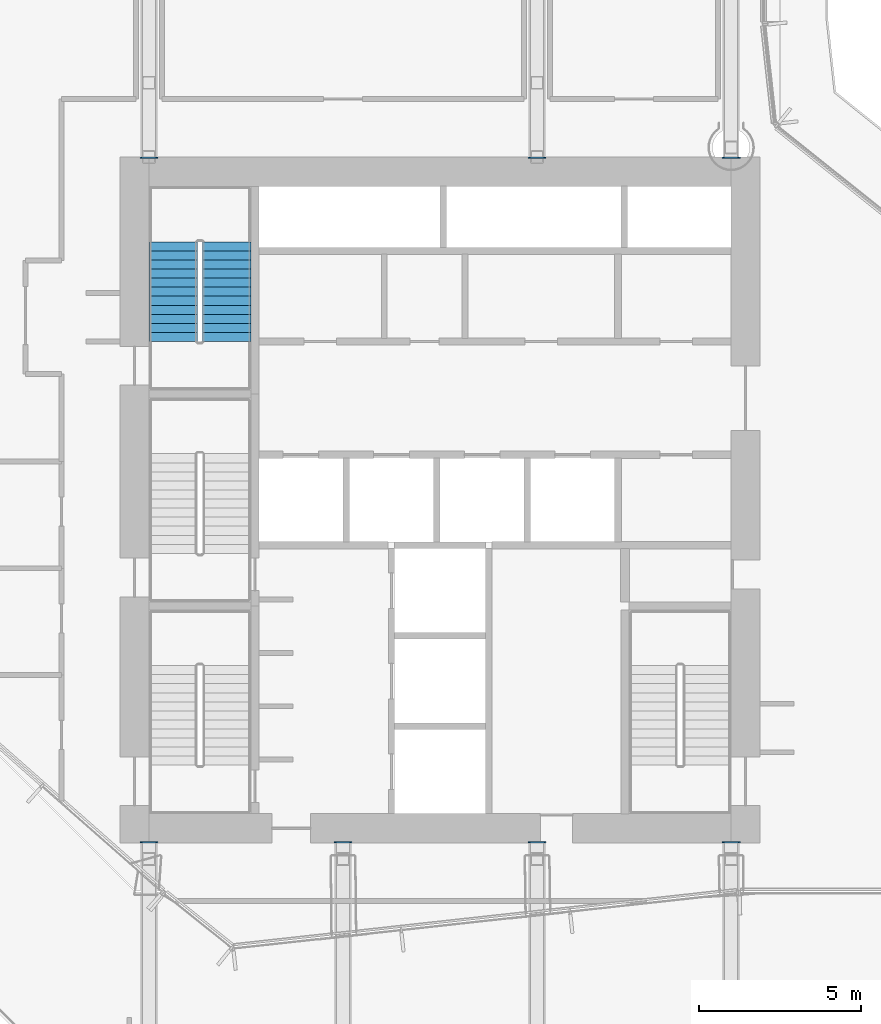
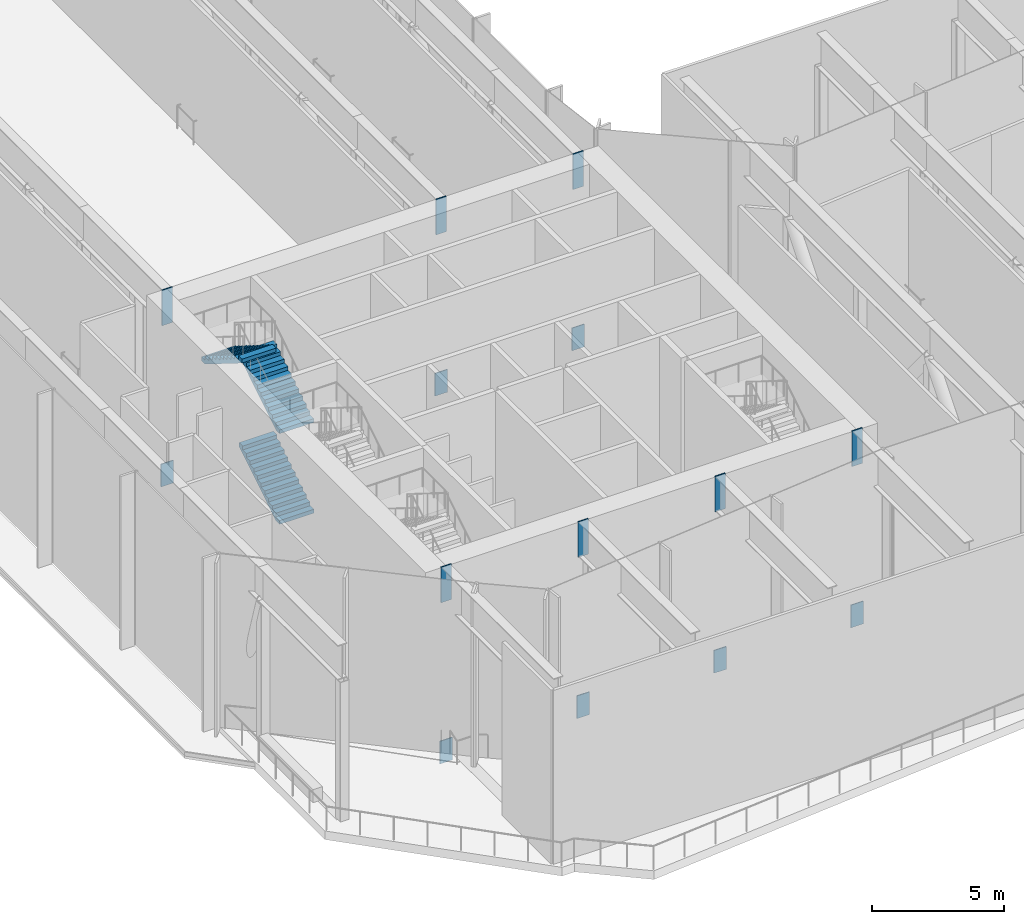
# One storey, part 17 of 25: 14 discrete accessories, 3 stair flights, 1 element without a shape of its own.
"""IFC4 building model written with IfcOpenShell, lengths in metres."""

from ifc_helpers import new_model, si_unit, direction, frame, origin, origin_2d, place, context, subcontext, project, spatial, polyline, rectangle, outline, extrude, material, type_object, element, aggregate, save


model = new_model("IFC4")

# Units and contexts
model_context = context("Model", 3, precision=1e-05, world=origin(), true_north=direction((0.0, 1.0)))
body_context = subcontext(model_context, "Body", "Model", "MODEL_VIEW")
ifc_project = project(units=[si_unit("LENGTHUNIT", "METRE"), si_unit("AREAUNIT", "SQUARE_METRE"), si_unit("VOLUMEUNIT", "CUBIC_METRE"), si_unit("PLANEANGLEUNIT", "RADIAN"), si_unit("MASSUNIT", "GRAM", prefix="KILO")], contexts=[model_context])

# Site, building, storey
site_placement = place(None, origin())
site = spatial("IfcSite", under=ifc_project, at=site_placement, CompositionType="ELEMENT")
building_placement = place(site_placement, origin())
building = spatial("IfcBuilding", under=site, at=building_placement, Name="Welwitschia Terrace Campus", CompositionType="ELEMENT")
storey_placement = place(building_placement, frame((0.0, 0.0, 79.39990234375)))
storey = spatial("IfcBuildingStorey", under=building, at=storey_placement, Name="L18", CompositionType="ELEMENT", Elevation=79.39990234375)

# Stair, stair flights
ifc_material_1 = material(Name="Concrete C40/50", Category="concrete")
stair_type = type_object("IfcStairType", Name="Stair 48R 175 W1500", PredefinedType="HALF_TURN_STAIR", material=ifc_material_1)
stair_placement = place(storey_placement, origin())
stair = element("IfcStair", 1, at=stair_placement, inside=storey, type_object=stair_type, Name="L18 Exit stair S4", PredefinedType="HALF_TURN_STAIR")
ifc_material_2 = material(Name="Concrete C40/50", Category="concrete")
stair_flight_type = type_object("IfcStairFlightType", Name="Stair flight 48R 175 W1500", PredefinedType="STRAIGHT", material=ifc_material_2)
stair_flight_1_placement = place(storey_placement, frame((8.39990234375, 20.0, 0.0), z_axis=(0.0, 0.0, 1.0), x_axis=(0.0, 1.0, 0.0)))
stair_flight_1 = element("IfcStairFlight", 2, at=stair_flight_1_placement, type_object=stair_flight_type, Name="S4 flight 1", NumberOfRisers=12, NumberOfTreads=11, PredefinedType="STRAIGHT", RiserHeight=0.175, TreadLength=0.28, context=body_context, shape_type="SweptSolid", body=[
    extrude(outline(polyline([(0.0, 0.0), (0.0, 0.175048828125), (0.280029296875, 0.175048828125), (0.280029296875, 0.35009765625), (0.56005859375, 0.35009765625), (0.56005859375, 0.52490234375), (0.840087890625, 0.52490234375), (0.840087890625, 0.699951171875), (1.1201171875, 0.699951171875), (1.1201171875, 0.875), (1.39990234375, 0.875), (1.39990234375, 1.050048828125), (1.679931640625, 1.050048828125), (1.679931640625, 1.22509765625), (1.9599609375, 1.22509765625), (1.9599609375, 1.39990234375), (2.239990234375, 1.39990234375), (2.239990234375, 1.574951171875), (2.52001953125, 1.574951171875), (2.52001953125, 1.75), (2.800048828125, 1.75), (2.800048828125, 1.925048828125), (3.080078125, 1.925048828125), (3.080078125, 2.10009765625), (3.080078125, 1.748291015625), (0.28271484375, 0.0), (0.0, 0.0)])), frame((0.0, 0.75, 0.0), z_axis=(0.0, -1.0, 0.0), x_axis=(1.0, 0.0, 0.0)), (0.0, 0.0, 1.0), 1.5),
])
stair_flight_2_placement = place(storey_placement, frame((8.39990234375, 20.0, 4.2001953125), z_axis=(0.0, 0.0, 1.0), x_axis=(0.0, 1.0, 0.0)))
stair_flight_2 = element("IfcStairFlight", 3, at=stair_flight_2_placement, type_object=stair_flight_type, Name="S4 flight 3", NumberOfRisers=12, NumberOfTreads=11, PredefinedType="STRAIGHT", RiserHeight=0.175, TreadLength=0.28, context=body_context, shape_type="SweptSolid", body=[
    extrude(outline(polyline([(0.0, 0.0), (0.0, 0.175048828125), (0.280029296875, 0.175048828125), (0.280029296875, 0.35009765625), (0.56005859375, 0.35009765625), (0.56005859375, 0.52490234375), (0.840087890625, 0.52490234375), (0.840087890625, 0.699951171875), (1.1201171875, 0.699951171875), (1.1201171875, 0.875), (1.39990234375, 0.875), (1.39990234375, 1.050048828125), (1.679931640625, 1.050048828125), (1.679931640625, 1.22509765625), (1.9599609375, 1.22509765625), (1.9599609375, 1.39990234375), (2.239990234375, 1.39990234375), (2.239990234375, 1.574951171875), (2.52001953125, 1.574951171875), (2.52001953125, 1.75), (2.800048828125, 1.75), (2.800048828125, 1.925048828125), (3.080078125, 1.925048828125), (3.080078125, 2.10009765625), (3.080078125, 1.748291015625), (0.28271484375, 0.0), (0.0, 0.0)])), frame((0.0, 0.75, 0.0), z_axis=(0.0, -1.0, 0.0), x_axis=(1.0, 0.0, 0.0)), (0.0, 0.0, 1.0), 1.5),
])
stair_flight_3_placement = place(storey_placement, frame((6.75, 23.080078125, 6.300048828125), z_axis=(0.0, 0.0, 1.0), x_axis=(0.0, -1.0, 0.0)))
stair_flight_3 = element("IfcStairFlight", 4, at=stair_flight_3_placement, type_object=stair_flight_type, Name="S4 flight 4", NumberOfRisers=12, NumberOfTreads=11, PredefinedType="STRAIGHT", RiserHeight=0.175, TreadLength=0.28, context=body_context, shape_type="SweptSolid", body=[
    extrude(outline(polyline([(0.0, 0.0), (0.0, 0.175048828125), (0.280029296875, 0.175048828125), (0.280029296875, 0.35009765625), (0.56005859375, 0.35009765625), (0.56005859375, 0.52490234375), (0.840087890625, 0.52490234375), (0.840087890625, 0.699951171875), (1.1201171875, 0.699951171875), (1.1201171875, 0.875), (1.39990234375, 0.875), (1.39990234375, 1.050048828125), (1.679931640625, 1.050048828125), (1.679931640625, 1.22509765625), (1.9599609375, 1.22509765625), (1.9599609375, 1.39990234375), (2.239990234375, 1.39990234375), (2.239990234375, 1.574951171875), (2.52001953125, 1.574951171875), (2.52001953125, 1.75), (2.800048828125, 1.75), (2.800048828125, 1.925048828125), (3.080078125, 1.925048828125), (3.080078125, 2.10009765625), (3.080078125, 1.748291015625), (0.28271484375, 0.0), (0.0, 0.0)])), frame((0.0, 0.75, 0.0), z_axis=(0.0, -1.0, 0.0), x_axis=(1.0, 0.0, 0.0)), (0.0, 0.0, 1.0), 1.5),
])
aggregate(stair, [stair_flight_1, stair_flight_2, stair_flight_3])

# Discrete accessories
discrete_accessory_1_placement = place(storey_placement, frame((6.0, 4.5, -0.5), z_axis=(0.0, 1.0, 0.0), x_axis=(-1.0, 0.0, 0.0)))
element("IfcDiscreteAccessory", 5, at=discrete_accessory_1_placement, inside=storey, Name="Cast-in embed plate", PredefinedType="BRACKET", context=body_context, shape_type="SweptSolid", body=[
    extrude(rectangle(XDim=0.550048828125, YDim=1.050048828125, at=origin_2d()), origin(), (0.0, 0.0, 1.0), 0.0400390625),
])
discrete_accessory_2_placement = place(storey_placement, frame((6.0, 4.5, 7.25), z_axis=(0.0, 1.0, 0.0), x_axis=(-1.0, 0.0, 0.0)))
element("IfcDiscreteAccessory", 6, at=discrete_accessory_2_placement, inside=storey, Name="Cast-in embed plate", PredefinedType="BRACKET", context=body_context, shape_type="SweptSolid", body=[
    extrude(rectangle(XDim=0.449951171875, YDim=1.64990234375, at=origin_2d()), origin(), (0.0, 0.0, 1.0), 0.0400390625),
])
discrete_accessory_3_placement = place(storey_placement, frame((6.0, 25.699951171875, -0.5), z_axis=(0.0, -1.0, 0.0), x_axis=(1.0, 0.0, 0.0)))
element("IfcDiscreteAccessory", 7, at=discrete_accessory_3_placement, inside=storey, Name="Cast-in embed plate", PredefinedType="BRACKET", context=body_context, shape_type="SweptSolid", body=[
    extrude(rectangle(XDim=0.550048828125, YDim=1.050048828125, at=origin_2d()), origin(), (0.0, 0.0, 1.0), 0.0400390625),
])
discrete_accessory_4_placement = place(storey_placement, frame((6.0, 25.699951171875, 7.25), z_axis=(0.0, -1.0, 0.0), x_axis=(1.0, 0.0, 0.0)))
element("IfcDiscreteAccessory", 8, at=discrete_accessory_4_placement, inside=storey, Name="Cast-in embed plate", PredefinedType="BRACKET", context=body_context, shape_type="SweptSolid", body=[
    extrude(rectangle(XDim=0.449951171875, YDim=1.64990234375, at=origin_2d()), origin(), (0.0, 0.0, 1.0), 0.0400390625),
])
discrete_accessory_5_placement = place(storey_placement, frame((12.0, 4.5, -0.5), z_axis=(0.0, 1.0, 0.0), x_axis=(-1.0, 0.0, 0.0)))
element("IfcDiscreteAccessory", 9, at=discrete_accessory_5_placement, inside=storey, Name="Cast-in embed plate", PredefinedType="BRACKET", context=body_context, shape_type="SweptSolid", body=[
    extrude(rectangle(XDim=0.550048828125, YDim=1.050048828125, at=origin_2d()), origin(), (0.0, 0.0, 1.0), 0.0400390625),
])
discrete_accessory_6_placement = place(storey_placement, frame((12.0, 4.5, 7.25), z_axis=(0.0, 1.0, 0.0), x_axis=(-1.0, 0.0, 0.0)))
element("IfcDiscreteAccessory", 10, at=discrete_accessory_6_placement, inside=storey, Name="Cast-in embed plate", PredefinedType="BRACKET", context=body_context, shape_type="SweptSolid", body=[
    extrude(rectangle(XDim=0.449951171875, YDim=1.64990234375, at=origin_2d()), origin(), (0.0, 0.0, 1.0), 0.0400390625),
])
discrete_accessory_7_placement = place(storey_placement, frame((18.0, 4.5, -0.5), z_axis=(0.0, 1.0, 0.0), x_axis=(-1.0, 0.0, 0.0)))
element("IfcDiscreteAccessory", 11, at=discrete_accessory_7_placement, inside=storey, Name="Cast-in embed plate", PredefinedType="BRACKET", context=body_context, shape_type="SweptSolid", body=[
    extrude(rectangle(XDim=0.550048828125, YDim=1.050048828125, at=origin_2d()), origin(), (0.0, 0.0, 1.0), 0.0400390625),
])
discrete_accessory_8_placement = place(storey_placement, frame((18.0, 4.5, 7.25), z_axis=(0.0, 1.0, 0.0), x_axis=(-1.0, 0.0, 0.0)))
element("IfcDiscreteAccessory", 12, at=discrete_accessory_8_placement, inside=storey, Name="Cast-in embed plate", PredefinedType="BRACKET", context=body_context, shape_type="SweptSolid", body=[
    extrude(rectangle(XDim=0.449951171875, YDim=1.64990234375, at=origin_2d()), origin(), (0.0, 0.0, 1.0), 0.0400390625),
])
discrete_accessory_9_placement = place(storey_placement, frame((18.0, 25.699951171875, -0.5), z_axis=(0.0, -1.0, 0.0), x_axis=(1.0, 0.0, 0.0)))
element("IfcDiscreteAccessory", 13, at=discrete_accessory_9_placement, inside=storey, Name="Cast-in embed plate", PredefinedType="BRACKET", context=body_context, shape_type="SweptSolid", body=[
    extrude(rectangle(XDim=0.550048828125, YDim=1.050048828125, at=origin_2d()), origin(), (0.0, 0.0, 1.0), 0.0400390625),
])
discrete_accessory_10_placement = place(storey_placement, frame((18.0, 25.699951171875, 7.25), z_axis=(0.0, -1.0, 0.0), x_axis=(1.0, 0.0, 0.0)))
element("IfcDiscreteAccessory", 14, at=discrete_accessory_10_placement, inside=storey, Name="Cast-in embed plate", PredefinedType="BRACKET", context=body_context, shape_type="SweptSolid", body=[
    extrude(rectangle(XDim=0.449951171875, YDim=1.64990234375, at=origin_2d()), origin(), (0.0, 0.0, 1.0), 0.0400390625),
])
discrete_accessory_11_placement = place(storey_placement, frame((24.0, 4.5, -0.5), z_axis=(0.0, 1.0, 0.0), x_axis=(-1.0, 0.0, 0.0)))
element("IfcDiscreteAccessory", 15, at=discrete_accessory_11_placement, inside=storey, Name="Cast-in embed plate", PredefinedType="BRACKET", context=body_context, shape_type="SweptSolid", body=[
    extrude(rectangle(XDim=0.550048828125, YDim=1.050048828125, at=origin_2d()), origin(), (0.0, 0.0, 1.0), 0.0400390625),
])
discrete_accessory_12_placement = place(storey_placement, frame((24.0, 4.5, 7.25), z_axis=(0.0, 1.0, 0.0), x_axis=(-1.0, 0.0, 0.0)))
element("IfcDiscreteAccessory", 16, at=discrete_accessory_12_placement, inside=storey, Name="Cast-in embed plate", PredefinedType="BRACKET", context=body_context, shape_type="SweptSolid", body=[
    extrude(rectangle(XDim=0.449951171875, YDim=1.64990234375, at=origin_2d()), origin(), (0.0, 0.0, 1.0), 0.0400390625),
])
discrete_accessory_13_placement = place(storey_placement, frame((24.0, 25.699951171875, -0.5), z_axis=(0.0, -1.0, 0.0), x_axis=(1.0, 0.0, 0.0)))
element("IfcDiscreteAccessory", 17, at=discrete_accessory_13_placement, inside=storey, Name="Cast-in embed plate", PredefinedType="BRACKET", context=body_context, shape_type="SweptSolid", body=[
    extrude(rectangle(XDim=0.550048828125, YDim=1.050048828125, at=origin_2d()), origin(), (0.0, 0.0, 1.0), 0.0400390625),
])
discrete_accessory_14_placement = place(storey_placement, frame((24.0, 25.699951171875, 7.25), z_axis=(0.0, -1.0, 0.0), x_axis=(1.0, 0.0, 0.0)))
element("IfcDiscreteAccessory", 18, at=discrete_accessory_14_placement, inside=storey, Name="Cast-in embed plate", PredefinedType="BRACKET", context=body_context, shape_type="SweptSolid", body=[
    extrude(rectangle(XDim=0.449951171875, YDim=1.64990234375, at=origin_2d()), origin(), (0.0, 0.0, 1.0), 0.0400390625),
])

save(model, "model.ifc")
